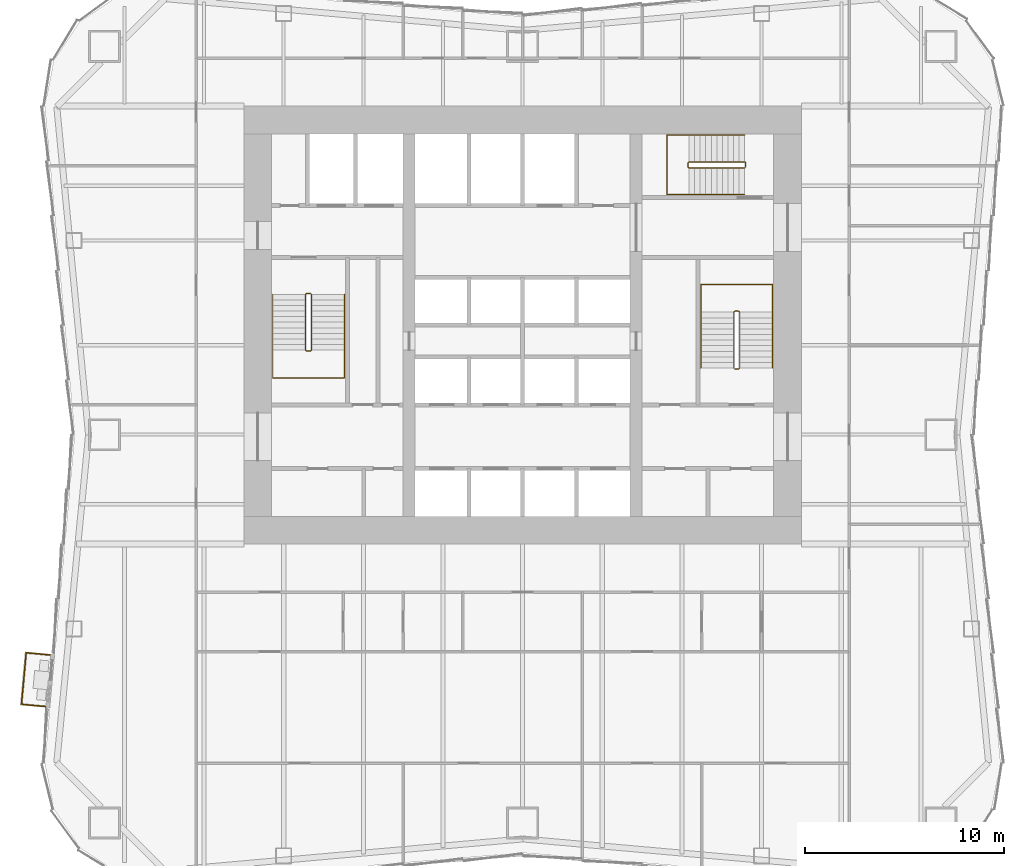
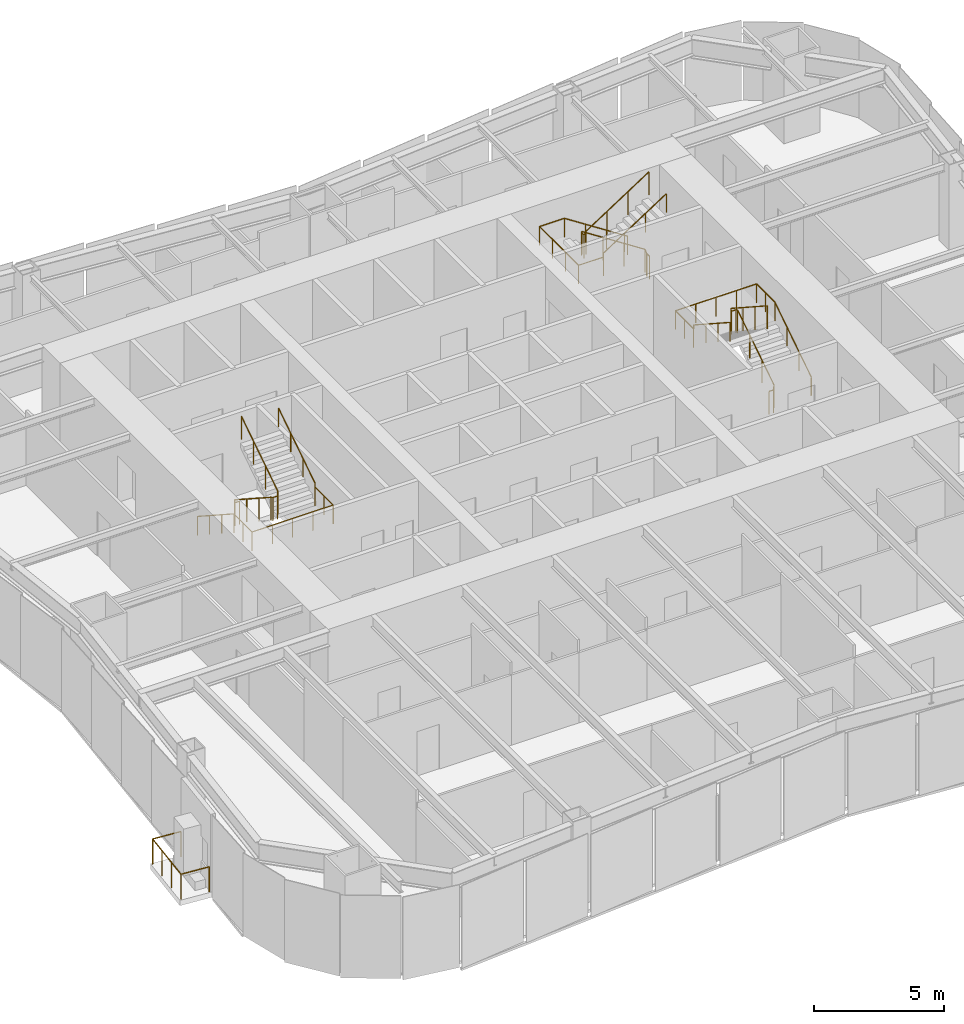
# One storey, part 8 of 9: 7 railings.
"""IFC4 building model written with IfcOpenShell, lengths in metres."""

from ifc_helpers import new_model, si_unit, direction, frame, origin, origin_2d, place, context, subcontext, project, spatial, circle, extrude, material, type_object, element, save


model = new_model("IFC4")

# Units and contexts
model_context = context("Model", 3, precision=1e-05, world=origin(), true_north=direction((0.0, 1.0)))
body_context = subcontext(model_context, "Body", "Model", "MODEL_VIEW")
ifc_project = project(units=[si_unit("LENGTHUNIT", "METRE"), si_unit("AREAUNIT", "SQUARE_METRE"), si_unit("VOLUMEUNIT", "CUBIC_METRE"), si_unit("PLANEANGLEUNIT", "RADIAN"), si_unit("MASSUNIT", "GRAM", prefix="KILO")], contexts=[model_context])

# Site, building, storey
site_placement = place(None, origin())
site = spatial("IfcSite", under=ifc_project, at=site_placement, CompositionType="ELEMENT")
building_placement = place(site_placement, origin())
building = spatial("IfcBuilding", under=site, at=building_placement, Name="Verdant Reach Tower", CompositionType="ELEMENT")
storey_placement = place(building_placement, frame((0.0, 0.0, 34.0)))
storey = spatial("IfcBuildingStorey", under=building, at=storey_placement, Name="L07", CompositionType="ELEMENT", Elevation=34.0)

# Railings
ifc_material_1 = material(Name="Stainless steel", Category="steel")
railing_type_1 = type_object("IfcRailingType", Name="CO-GUARD", PredefinedType="GUARDRAIL", material=ifc_material_1)
railing_1_placement = place(storey_placement, frame((-10.64990234375, 29.60009765625, 0.0)))
element("IfcRailing", 1, at=railing_1_placement, inside=storey, type_object=railing_type_1, Name="L07 ST-1 stair guard 1", PredefinedType="GUARDRAIL", context=body_context, shape_type="SweptSolid", body=[
    extrude(circle(Radius=0.02392578125, at=origin_2d()), frame((0.0, 0.0, 1.076171875), z_axis=(-1.0, 0.0, 0.0), x_axis=(0.0, -1.0, 0.0)), (0.0, 0.0, 1.0), 0.2001953125),
    extrude(circle(Radius=0.02392578125, at=origin_2d()), frame((-0.2001953125, 0.0, 1.076171875), z_axis=(-0.25526617399, -0.256517478764, 0.932222056972), x_axis=(0.708833529934, -0.705375805398, 0.0)), (0.0, 0.0, 1.0), 0.195068359375),
    extrude(circle(Radius=0.02392578125, at=origin_2d()), frame((-0.25, -0.050048828125, 1.2578125), z_axis=(0.0, -0.838705829183, 0.544584733623), x_axis=(1.0, 0.0, 0.0)), (0.0, 0.0, 1.0), 3.338623046875),
    extrude(circle(Radius=0.02392578125, at=origin_2d()), frame((-0.25, -2.85009765625, 3.076171875), z_axis=(0.705375805398, -0.708833529934, 0.0), x_axis=(0.708833529934, 0.705375805398, 0.0)), (0.0, 0.0, 1.0), 0.070556640625),
    extrude(circle(Radius=0.02392578125, at=origin_2d()), frame((-0.2001953125, -2.900146484375, 3.076171875), z_axis=(1.0, 0.0, 0.0), x_axis=(0.0, 1.0, 0.0)), (0.0, 0.0, 1.0), 0.2001953125),
    extrude(circle(Radius=0.02392578125, at=origin_2d()), frame((0.0, -2.900146484375, 3.076171875), z_axis=(0.25526617399, 0.256517478764, 0.932222056972), x_axis=(-0.708833529934, 0.705375805398, 0.0)), (0.0, 0.0, 1.0), 0.195068359375),
    extrude(circle(Radius=0.02392578125, at=origin_2d()), frame((0.0498046875, -2.85009765625, 3.2578125), z_axis=(0.0, 0.838705829183, 0.544584733623), x_axis=(-1.0, 0.0, 0.0)), (0.0, 0.0, 1.0), 3.338623046875),
    extrude(circle(Radius=0.02099609375, at=origin_2d()), origin(), (0.0, 0.0, 1.0), 1.052001953125),
    extrude(circle(Radius=0.02099609375, at=origin_2d()), frame((-0.2001953125, 0.0, 0.0)), (0.0, 0.0, 1.0), 1.052001953125),
    extrude(circle(Radius=0.02099609375, at=origin_2d()), frame((-0.25, -0.050048828125, 0.181884765625)), (0.0, 0.0, 1.0), 1.052001953125),
    extrude(circle(Radius=0.02099609375, at=origin_2d()), frame((-0.25, -0.9833984375, 0.787841796875)), (0.0, 0.0, 1.0), 1.052001953125),
    extrude(circle(Radius=0.02099609375, at=origin_2d()), frame((-0.25, -1.916748046875, 1.39404296875)), (0.0, 0.0, 1.0), 1.052001953125),
    extrude(circle(Radius=0.02099609375, at=origin_2d()), frame((-0.25, -2.85009765625, 2.0)), (0.0, 0.0, 1.0), 1.052001953125),
    extrude(circle(Radius=0.02099609375, at=origin_2d()), frame((-0.2001953125, -2.900146484375, 2.0)), (0.0, 0.0, 1.0), 1.052001953125),
    extrude(circle(Radius=0.02099609375, at=origin_2d()), frame((0.0, -2.900146484375, 2.0)), (0.0, 0.0, 1.0), 1.052001953125),
    extrude(circle(Radius=0.02099609375, at=origin_2d()), frame((0.0498046875, -2.85009765625, 2.181884765625)), (0.0, 0.0, 1.0), 1.052001953125),
    extrude(circle(Radius=0.02099609375, at=origin_2d()), frame((0.0498046875, -1.916748046875, 2.787841796875)), (0.0, 0.0, 1.0), 1.052001953125),
    extrude(circle(Radius=0.02099609375, at=origin_2d()), frame((0.0498046875, -0.9833984375, 3.39404296875)), (0.0, 0.0, 1.0), 1.052001953125),
    extrude(circle(Radius=0.02099609375, at=origin_2d()), frame((0.0498046875, -0.050048828125, 4.0)), (0.0, 0.0, 1.0), 1.052001953125),
])
railing_2_placement = place(storey_placement, frame((10.64990234375, 25.800048828125, 0.0)))
element("IfcRailing", 2, at=railing_2_placement, inside=storey, type_object=railing_type_1, Name="L07 ST-2 stair guard 1", PredefinedType="GUARDRAIL", context=body_context, shape_type="SweptSolid", body=[
    extrude(circle(Radius=0.02392578125, at=origin_2d()), frame((0.0, 0.0, 1.076171875), z_axis=(1.0, 0.0, 0.0), x_axis=(0.0, 1.0, 0.0)), (0.0, 0.0, 1.0), 0.2001953125),
    extrude(circle(Radius=0.02392578125, at=origin_2d()), frame((0.2001953125, 0.0, 1.076171875), z_axis=(0.25526617399, 0.256517478764, 0.932222056972), x_axis=(-0.708833529934, 0.705375805398, 0.0)), (0.0, 0.0, 1.0), 0.195068359375),
    extrude(circle(Radius=0.02392578125, at=origin_2d()), frame((0.25, 0.050048828125, 1.2578125), z_axis=(0.0, 0.83868413941, 0.544618136222), x_axis=(-1.0, 0.0, 0.0)), (0.0, 0.0, 1.0), 3.33837890625),
    extrude(circle(Radius=0.02392578125, at=origin_2d()), frame((0.25, 2.849853515625, 3.076171875), z_axis=(-0.705375805398, 0.708833529934, 0.0), x_axis=(-0.708833529934, -0.705375805398, 0.0)), (0.0, 0.0, 1.0), 0.070556640625),
    extrude(circle(Radius=0.02392578125, at=origin_2d()), frame((0.2001953125, 2.89990234375, 3.076171875), z_axis=(-1.0, 0.0, 0.0), x_axis=(0.0, -1.0, 0.0)), (0.0, 0.0, 1.0), 0.2001953125),
    extrude(circle(Radius=0.02392578125, at=origin_2d()), frame((0.0, 2.89990234375, 3.076171875), z_axis=(-0.25526617399, -0.256517478764, 0.932222056972), x_axis=(0.708833529934, -0.705375805398, 0.0)), (0.0, 0.0, 1.0), 0.195068359375),
    extrude(circle(Radius=0.02392578125, at=origin_2d()), frame((-0.0498046875, 2.849853515625, 3.2578125), z_axis=(0.0, -0.83868413941, 0.544618136222), x_axis=(1.0, 0.0, 0.0)), (0.0, 0.0, 1.0), 3.33837890625),
    extrude(circle(Radius=0.02099609375, at=origin_2d()), origin(), (0.0, 0.0, 1.0), 1.052001953125),
    extrude(circle(Radius=0.02099609375, at=origin_2d()), frame((0.2001953125, 0.0, 0.0)), (0.0, 0.0, 1.0), 1.052001953125),
    extrude(circle(Radius=0.02099609375, at=origin_2d()), frame((0.25, 0.050048828125, 0.181884765625)), (0.0, 0.0, 1.0), 1.052001953125),
    extrude(circle(Radius=0.02099609375, at=origin_2d()), frame((0.25, 0.9833984375, 0.787841796875)), (0.0, 0.0, 1.0), 1.052001953125),
    extrude(circle(Radius=0.02099609375, at=origin_2d()), frame((0.25, 1.91650390625, 1.39404296875)), (0.0, 0.0, 1.0), 1.052001953125),
    extrude(circle(Radius=0.02099609375, at=origin_2d()), frame((0.25, 2.849853515625, 2.0)), (0.0, 0.0, 1.0), 1.052001953125),
    extrude(circle(Radius=0.02099609375, at=origin_2d()), frame((0.2001953125, 2.89990234375, 2.0)), (0.0, 0.0, 1.0), 1.052001953125),
    extrude(circle(Radius=0.02099609375, at=origin_2d()), frame((0.0, 2.89990234375, 2.0)), (0.0, 0.0, 1.0), 1.052001953125),
    extrude(circle(Radius=0.02099609375, at=origin_2d()), frame((-0.0498046875, 2.849853515625, 2.181884765625)), (0.0, 0.0, 1.0), 1.052001953125),
    extrude(circle(Radius=0.02099609375, at=origin_2d()), frame((-0.0498046875, 1.91650390625, 2.787841796875)), (0.0, 0.0, 1.0), 1.052001953125),
    extrude(circle(Radius=0.02099609375, at=origin_2d()), frame((-0.0498046875, 0.9833984375, 3.39404296875)), (0.0, 0.0, 1.0), 1.052001953125),
    extrude(circle(Radius=0.02099609375, at=origin_2d()), frame((-0.0498046875, 0.050048828125, 4.0)), (0.0, 0.0, 1.0), 1.052001953125),
])
railing_3_placement = place(storey_placement, frame((11.199951171875, 35.949951171875, 0.0)))
element("IfcRailing", 3, at=railing_3_placement, inside=storey, type_object=railing_type_1, Name="L07 ST-3 stair guard 1", PredefinedType="GUARDRAIL", context=body_context, shape_type="SweptSolid", body=[
    extrude(circle(Radius=0.02392578125, at=origin_2d()), frame((0.0, 0.0, 1.076171875), z_axis=(0.0, 1.0, 0.0), x_axis=(-1.0, 0.0, 0.0)), (0.0, 0.0, 1.0), 0.199951171875),
    extrude(circle(Radius=0.02392578125, at=origin_2d()), frame((0.0, 0.199951171875, 1.076171875), z_axis=(-0.256435381639, 0.256435381639, 0.931923704005), x_axis=(-0.707106781187, -0.707106781187, 0.0)), (0.0, 0.0, 1.0), 0.195068359375),
    extrude(circle(Radius=0.02392578125, at=origin_2d()), frame((-0.050048828125, 0.25, 1.2578125), z_axis=(-0.83868413941, 0.0, 0.544618136222), x_axis=(0.0, -1.0, 0.0)), (0.0, 0.0, 1.0), 3.33837890625),
    extrude(circle(Radius=0.02392578125, at=origin_2d()), frame((-2.849853515625, 0.25, 3.076171875), z_axis=(-0.707106781187, -0.707106781187, 0.0), x_axis=(0.707106781187, -0.707106781187, 0.0)), (0.0, 0.0, 1.0), 0.07080078125),
    extrude(circle(Radius=0.02392578125, at=origin_2d()), frame((-2.89990234375, 0.199951171875, 3.076171875), z_axis=(0.0, -1.0, 0.0), x_axis=(1.0, 0.0, 0.0)), (0.0, 0.0, 1.0), 0.199951171875),
    extrude(circle(Radius=0.02392578125, at=origin_2d()), frame((-2.89990234375, 0.0, 3.076171875), z_axis=(0.256435381639, -0.256435381639, 0.931923704005), x_axis=(0.707106781187, 0.707106781187, 0.0)), (0.0, 0.0, 1.0), 0.195068359375),
    extrude(circle(Radius=0.02392578125, at=origin_2d()), frame((-2.849853515625, -0.050048828125, 3.2578125), z_axis=(0.83868413941, 0.0, 0.544618136222), x_axis=(0.0, 1.0, 0.0)), (0.0, 0.0, 1.0), 3.33837890625),
    extrude(circle(Radius=0.02099609375, at=origin_2d()), origin(), (0.0, 0.0, 1.0), 1.052001953125),
    extrude(circle(Radius=0.02099609375, at=origin_2d()), frame((0.0, 0.199951171875, 0.0)), (0.0, 0.0, 1.0), 1.052001953125),
    extrude(circle(Radius=0.02099609375, at=origin_2d()), frame((-0.050048828125, 0.25, 0.181884765625)), (0.0, 0.0, 1.0), 1.052001953125),
    extrude(circle(Radius=0.02099609375, at=origin_2d()), frame((-0.9833984375, 0.25, 0.787841796875)), (0.0, 0.0, 1.0), 1.052001953125),
    extrude(circle(Radius=0.02099609375, at=origin_2d()), frame((-1.91650390625, 0.25, 1.39404296875)), (0.0, 0.0, 1.0), 1.052001953125),
    extrude(circle(Radius=0.02099609375, at=origin_2d()), frame((-2.849853515625, 0.25, 2.0)), (0.0, 0.0, 1.0), 1.052001953125),
    extrude(circle(Radius=0.02099609375, at=origin_2d()), frame((-2.89990234375, 0.199951171875, 2.0)), (0.0, 0.0, 1.0), 1.052001953125),
    extrude(circle(Radius=0.02099609375, at=origin_2d()), frame((-2.89990234375, 0.0, 2.0)), (0.0, 0.0, 1.0), 1.052001953125),
    extrude(circle(Radius=0.02099609375, at=origin_2d()), frame((-2.849853515625, -0.050048828125, 2.181884765625)), (0.0, 0.0, 1.0), 1.052001953125),
    extrude(circle(Radius=0.02099609375, at=origin_2d()), frame((-1.91650390625, -0.050048828125, 2.787841796875)), (0.0, 0.0, 1.0), 1.052001953125),
    extrude(circle(Radius=0.02099609375, at=origin_2d()), frame((-0.9833984375, -0.050048828125, 3.39404296875)), (0.0, 0.0, 1.0), 1.052001953125),
    extrude(circle(Radius=0.02099609375, at=origin_2d()), frame((-0.050048828125, -0.050048828125, 4.0)), (0.0, 0.0, 1.0), 1.052001953125),
])
railing_type_2 = type_object("IfcRailingType", Name="CO-HANDRAIL", PredefinedType="HANDRAIL", material=ifc_material_1)
railing_4_placement = place(storey_placement, frame((-12.550048828125, 29.550048828125, 0.181884765625)))
element("IfcRailing", 4, at=railing_4_placement, inside=storey, type_object=railing_type_2, Name="L07 ST-1 stair handrail 1", PredefinedType="HANDRAIL", context=body_context, shape_type="SweptSolid", body=[
    extrude(circle(Radius=0.02392578125, at=origin_2d()), frame((0.0, 0.0, 0.8759765625), z_axis=(0.0, -0.838705829183, 0.544584733623), x_axis=(1.0, 0.0, 0.0)), (0.0, 0.0, 1.0), 3.338623046875),
    extrude(circle(Radius=0.02392578125, at=origin_2d()), frame((0.0, -2.800048828125, 2.69384765625), z_axis=(0.0, -1.0, 0.0), x_axis=(1.0, 0.0, 0.0)), (0.0, 0.0, 1.0), 1.39990234375),
    extrude(circle(Radius=0.02392578125, at=origin_2d()), frame((0.0, -4.199951171875, 2.69384765625), z_axis=(1.0, 0.0, 0.0), x_axis=(0.0, 1.0, 0.0)), (0.0, 0.0, 1.0), 3.60009765625),
    extrude(circle(Radius=0.02392578125, at=origin_2d()), frame((3.60009765625, -4.199951171875, 2.69384765625), z_axis=(0.0, 1.0, 0.0), x_axis=(-1.0, 0.0, 0.0)), (0.0, 0.0, 1.0), 1.39990234375),
    extrude(circle(Radius=0.02392578125, at=origin_2d()), frame((3.60009765625, -2.800048828125, 2.69384765625), z_axis=(0.0, 0.0, 1.0), x_axis=(1.0, 0.0, 0.0)), (0.0, 0.0, 1.0), 0.181884765625),
    extrude(circle(Radius=0.02392578125, at=origin_2d()), frame((3.60009765625, -2.800048828125, 2.8759765625), z_axis=(0.0, 0.838705829183, 0.544584733623), x_axis=(-1.0, 0.0, 0.0)), (0.0, 0.0, 1.0), 3.338623046875),
    extrude(circle(Radius=0.02099609375, at=origin_2d()), origin(), (0.0, 0.0, 1.0), 0.851806640625),
    extrude(circle(Radius=0.02099609375, at=origin_2d()), frame((0.0, -0.933349609375, 0.60595703125)), (0.0, 0.0, 1.0), 0.851806640625),
    extrude(circle(Radius=0.02099609375, at=origin_2d()), frame((0.0, -1.86669921875, 1.212158203125)), (0.0, 0.0, 1.0), 0.851806640625),
    extrude(circle(Radius=0.02099609375, at=origin_2d()), frame((0.0, -2.800048828125, 1.818115234375)), (0.0, 0.0, 1.0), 0.851806640625),
    extrude(circle(Radius=0.02099609375, at=origin_2d()), frame((0.0, -3.5, 1.818115234375)), (0.0, 0.0, 1.0), 0.851806640625),
    extrude(circle(Radius=0.02099609375, at=origin_2d()), frame((0.0, -4.199951171875, 1.818115234375)), (0.0, 0.0, 1.0), 0.851806640625),
    extrude(circle(Radius=0.02099609375, at=origin_2d()), frame((0.89990234375, -4.199951171875, 1.818115234375)), (0.0, 0.0, 1.0), 0.851806640625),
    extrude(circle(Radius=0.02099609375, at=origin_2d()), frame((1.800048828125, -4.199951171875, 1.818115234375)), (0.0, 0.0, 1.0), 0.851806640625),
    extrude(circle(Radius=0.02099609375, at=origin_2d()), frame((2.7001953125, -4.199951171875, 1.818115234375)), (0.0, 0.0, 1.0), 0.851806640625),
    extrude(circle(Radius=0.02099609375, at=origin_2d()), frame((3.60009765625, -4.199951171875, 1.818115234375)), (0.0, 0.0, 1.0), 0.851806640625),
    extrude(circle(Radius=0.02099609375, at=origin_2d()), frame((3.60009765625, -3.5, 1.818115234375)), (0.0, 0.0, 1.0), 0.851806640625),
    extrude(circle(Radius=0.02099609375, at=origin_2d()), frame((3.60009765625, -2.800048828125, 1.818115234375)), (0.0, 0.0, 1.0), 0.851806640625),
    extrude(circle(Radius=0.02099609375, at=origin_2d()), frame((3.60009765625, -2.800048828125, 2.0)), (0.0, 0.0, 1.0), 0.851806640625),
    extrude(circle(Radius=0.02099609375, at=origin_2d()), frame((3.60009765625, -1.86669921875, 2.60595703125)), (0.0, 0.0, 1.0), 0.851806640625),
    extrude(circle(Radius=0.02099609375, at=origin_2d()), frame((3.60009765625, -0.933349609375, 3.212158203125)), (0.0, 0.0, 1.0), 0.851806640625),
    extrude(circle(Radius=0.02099609375, at=origin_2d()), frame((3.60009765625, 0.0, 3.818115234375)), (0.0, 0.0, 1.0), 0.851806640625),
])
railing_5_placement = place(storey_placement, frame((12.550048828125, 25.85009765625, 0.181884765625)))
element("IfcRailing", 5, at=railing_5_placement, inside=storey, type_object=railing_type_2, Name="L07 ST-2 stair handrail 1", PredefinedType="HANDRAIL", context=body_context, shape_type="SweptSolid", body=[
    extrude(circle(Radius=0.02392578125, at=origin_2d()), frame((0.0, 0.0, 0.8759765625), z_axis=(0.0, 0.83868413941, 0.544618136222), x_axis=(-1.0, 0.0, 0.0)), (0.0, 0.0, 1.0), 3.33837890625),
    extrude(circle(Radius=0.02392578125, at=origin_2d()), frame((0.0, 2.7998046875, 2.69384765625), z_axis=(0.0, 1.0, 0.0), x_axis=(-1.0, 0.0, 0.0)), (0.0, 0.0, 1.0), 1.400146484375),
    extrude(circle(Radius=0.02392578125, at=origin_2d()), frame((0.0, 4.199951171875, 2.69384765625), z_axis=(-1.0, 0.0, 0.0), x_axis=(0.0, -1.0, 0.0)), (0.0, 0.0, 1.0), 3.60009765625),
    extrude(circle(Radius=0.02392578125, at=origin_2d()), frame((-3.60009765625, 4.199951171875, 2.69384765625), z_axis=(0.0, -1.0, 0.0), x_axis=(1.0, 0.0, 0.0)), (0.0, 0.0, 1.0), 1.400146484375),
    extrude(circle(Radius=0.02392578125, at=origin_2d()), frame((-3.60009765625, 2.7998046875, 2.69384765625), z_axis=(0.0, 0.0, 1.0), x_axis=(1.0, 0.0, 0.0)), (0.0, 0.0, 1.0), 0.181884765625),
    extrude(circle(Radius=0.02392578125, at=origin_2d()), frame((-3.60009765625, 2.7998046875, 2.8759765625), z_axis=(0.0, -0.83868413941, 0.544618136222), x_axis=(1.0, 0.0, 0.0)), (0.0, 0.0, 1.0), 3.33837890625),
    extrude(circle(Radius=0.02099609375, at=origin_2d()), origin(), (0.0, 0.0, 1.0), 0.851806640625),
    extrude(circle(Radius=0.02099609375, at=origin_2d()), frame((0.0, 0.933349609375, 0.60595703125)), (0.0, 0.0, 1.0), 0.851806640625),
    extrude(circle(Radius=0.02099609375, at=origin_2d()), frame((0.0, 1.866455078125, 1.212158203125)), (0.0, 0.0, 1.0), 0.851806640625),
    extrude(circle(Radius=0.02099609375, at=origin_2d()), frame((0.0, 2.7998046875, 1.818115234375)), (0.0, 0.0, 1.0), 0.851806640625),
    extrude(circle(Radius=0.02099609375, at=origin_2d()), frame((0.0, 3.5, 1.818115234375)), (0.0, 0.0, 1.0), 0.851806640625),
    extrude(circle(Radius=0.02099609375, at=origin_2d()), frame((0.0, 4.199951171875, 1.818115234375)), (0.0, 0.0, 1.0), 0.851806640625),
    extrude(circle(Radius=0.02099609375, at=origin_2d()), frame((-0.89990234375, 4.199951171875, 1.818115234375)), (0.0, 0.0, 1.0), 0.851806640625),
    extrude(circle(Radius=0.02099609375, at=origin_2d()), frame((-1.800048828125, 4.199951171875, 1.818115234375)), (0.0, 0.0, 1.0), 0.851806640625),
    extrude(circle(Radius=0.02099609375, at=origin_2d()), frame((-2.7001953125, 4.199951171875, 1.818115234375)), (0.0, 0.0, 1.0), 0.851806640625),
    extrude(circle(Radius=0.02099609375, at=origin_2d()), frame((-3.60009765625, 4.199951171875, 1.818115234375)), (0.0, 0.0, 1.0), 0.851806640625),
    extrude(circle(Radius=0.02099609375, at=origin_2d()), frame((-3.60009765625, 3.5, 1.818115234375)), (0.0, 0.0, 1.0), 0.851806640625),
    extrude(circle(Radius=0.02099609375, at=origin_2d()), frame((-3.60009765625, 2.7998046875, 1.818115234375)), (0.0, 0.0, 1.0), 0.851806640625),
    extrude(circle(Radius=0.02099609375, at=origin_2d()), frame((-3.60009765625, 2.7998046875, 2.0)), (0.0, 0.0, 1.0), 0.851806640625),
    extrude(circle(Radius=0.02099609375, at=origin_2d()), frame((-3.60009765625, 1.866455078125, 2.60595703125)), (0.0, 0.0, 1.0), 0.851806640625),
    extrude(circle(Radius=0.02099609375, at=origin_2d()), frame((-3.60009765625, 0.933349609375, 3.212158203125)), (0.0, 0.0, 1.0), 0.851806640625),
    extrude(circle(Radius=0.02099609375, at=origin_2d()), frame((-3.60009765625, 0.0, 3.818115234375)), (0.0, 0.0, 1.0), 0.851806640625),
])
railing_6_placement = place(storey_placement, frame((11.14990234375, 37.550048828125, 0.181884765625)))
element("IfcRailing", 6, at=railing_6_placement, inside=storey, type_object=railing_type_2, Name="L07 ST-3 stair handrail 1", PredefinedType="HANDRAIL", context=body_context, shape_type="SweptSolid", body=[
    extrude(circle(Radius=0.02392578125, at=origin_2d()), frame((0.0, 0.0, 0.8759765625), z_axis=(-0.83868413941, 0.0, 0.544618136222), x_axis=(0.0, -1.0, 0.0)), (0.0, 0.0, 1.0), 3.33837890625),
    extrude(circle(Radius=0.02392578125, at=origin_2d()), frame((-2.7998046875, 0.0, 2.69384765625), z_axis=(-1.0, 0.0, 0.0), x_axis=(0.0, -1.0, 0.0)), (0.0, 0.0, 1.0), 1.10009765625),
    extrude(circle(Radius=0.02392578125, at=origin_2d()), frame((-3.89990234375, 0.0, 2.69384765625), z_axis=(0.0, -1.0, 0.0), x_axis=(1.0, 0.0, 0.0)), (0.0, 0.0, 1.0), 3.0),
    extrude(circle(Radius=0.02392578125, at=origin_2d()), frame((-3.89990234375, -3.0, 2.69384765625), z_axis=(1.0, 0.0, 0.0), x_axis=(0.0, 1.0, 0.0)), (0.0, 0.0, 1.0), 1.10009765625),
    extrude(circle(Radius=0.02392578125, at=origin_2d()), frame((-2.7998046875, -3.0, 2.69384765625), z_axis=(0.0, 0.0, 1.0), x_axis=(1.0, 0.0, 0.0)), (0.0, 0.0, 1.0), 0.181884765625),
    extrude(circle(Radius=0.02392578125, at=origin_2d()), frame((-2.7998046875, -3.0, 2.8759765625), z_axis=(0.83868413941, 0.0, 0.544618136222), x_axis=(0.0, 1.0, 0.0)), (0.0, 0.0, 1.0), 3.33837890625),
    extrude(circle(Radius=0.02099609375, at=origin_2d()), origin(), (0.0, 0.0, 1.0), 0.851806640625),
    extrude(circle(Radius=0.02099609375, at=origin_2d()), frame((-0.933349609375, 0.0, 0.60595703125)), (0.0, 0.0, 1.0), 0.851806640625),
    extrude(circle(Radius=0.02099609375, at=origin_2d()), frame((-1.866455078125, 0.0, 1.212158203125)), (0.0, 0.0, 1.0), 0.851806640625),
    extrude(circle(Radius=0.02099609375, at=origin_2d()), frame((-2.7998046875, 0.0, 1.818115234375)), (0.0, 0.0, 1.0), 0.851806640625),
    extrude(circle(Radius=0.02099609375, at=origin_2d()), frame((-3.89990234375, 0.0, 1.818115234375)), (0.0, 0.0, 1.0), 0.851806640625),
    extrude(circle(Radius=0.02099609375, at=origin_2d()), frame((-3.89990234375, -1.0, 1.818115234375)), (0.0, 0.0, 1.0), 0.851806640625),
    extrude(circle(Radius=0.02099609375, at=origin_2d()), frame((-3.89990234375, -2.0, 1.818115234375)), (0.0, 0.0, 1.0), 0.851806640625),
    extrude(circle(Radius=0.02099609375, at=origin_2d()), frame((-3.89990234375, -3.0, 1.818115234375)), (0.0, 0.0, 1.0), 0.851806640625),
    extrude(circle(Radius=0.02099609375, at=origin_2d()), frame((-2.7998046875, -3.0, 1.818115234375)), (0.0, 0.0, 1.0), 0.851806640625),
    extrude(circle(Radius=0.02099609375, at=origin_2d()), frame((-2.7998046875, -3.0, 2.0)), (0.0, 0.0, 1.0), 0.851806640625),
    extrude(circle(Radius=0.02099609375, at=origin_2d()), frame((-1.866455078125, -3.0, 2.60595703125)), (0.0, 0.0, 1.0), 0.851806640625),
    extrude(circle(Radius=0.02099609375, at=origin_2d()), frame((-0.933349609375, -3.0, 3.212158203125)), (0.0, 0.0, 1.0), 0.851806640625),
    extrude(circle(Radius=0.02099609375, at=origin_2d()), frame((0.0, -3.0, 3.818115234375)), (0.0, 0.0, 1.0), 0.851806640625),
])
ifc_material_2 = material(Name="Stainless steel and laminated glass balustrade", Category="steel")
railing_type_3 = type_object("IfcRailingType", Name="EN-RAILING BALCONY", PredefinedType="GUARDRAIL", material=ifc_material_2)
railing_7_placement = place(storey_placement, frame((-23.736328125, 11.441162109375, 0.0)))
element("IfcRailing", 7, at=railing_7_placement, inside=storey, type_object=railing_type_3, Name="Balcony guard 1, L07", PredefinedType="GUARDRAIL", context=body_context, shape_type="SweptSolid", body=[
    extrude(circle(Radius=0.02490234375, at=origin_2d()), frame((0.0, 0.0, 1.1748046875), z_axis=(-0.995893206468, 0.090535746043, 0.0), x_axis=(-0.090535746043, -0.995893206468, 0.0)), (0.0, 0.0, 1.0), 1.199951171875),
    extrude(circle(Radius=0.02490234375, at=origin_2d()), frame((-1.195068359375, 0.108642578125, 1.1748046875), z_axis=(-0.090569595155, -0.995890128696, 0.0), x_axis=(0.995890128696, -0.090569595155, 0.0)), (0.0, 0.0, 1.0), 2.601318359375),
    extrude(circle(Radius=0.02490234375, at=origin_2d()), frame((-1.4306640625, -2.48193359375, 1.1748046875), z_axis=(0.995893206468, -0.090535746043, 0.0), x_axis=(0.090535746043, 0.995893206468, 0.0)), (0.0, 0.0, 1.0), 1.199951171875),
    extrude(circle(Radius=0.02490234375, at=origin_2d()), origin(), (0.0, 0.0, 1.0), 1.14990234375),
    extrude(circle(Radius=0.02490234375, at=origin_2d()), frame((-1.195068359375, 0.108642578125, 0.0)), (0.0, 0.0, 1.0), 1.14990234375),
    extrude(circle(Radius=0.02490234375, at=origin_2d()), frame((-1.273681640625, -0.7548828125, 0.0)), (0.0, 0.0, 1.0), 1.14990234375),
    extrude(circle(Radius=0.02490234375, at=origin_2d()), frame((-1.35205078125, -1.618408203125, 0.0)), (0.0, 0.0, 1.0), 1.14990234375),
    extrude(circle(Radius=0.02490234375, at=origin_2d()), frame((-1.4306640625, -2.48193359375, 0.0)), (0.0, 0.0, 1.0), 1.14990234375),
    extrude(circle(Radius=0.02490234375, at=origin_2d()), frame((-0.235595703125, -2.590576171875, 0.0)), (0.0, 0.0, 1.0), 1.14990234375),
])

save(model, "model.ifc")
